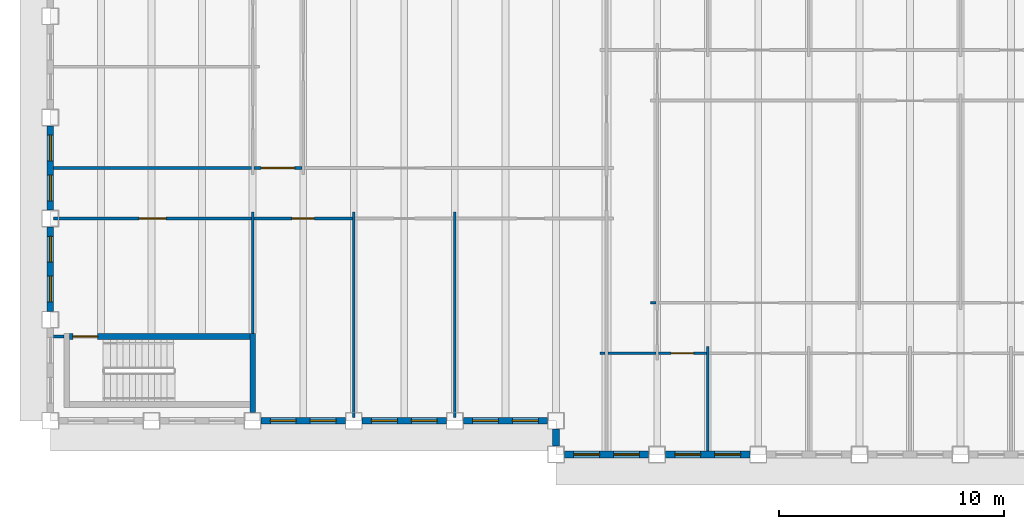
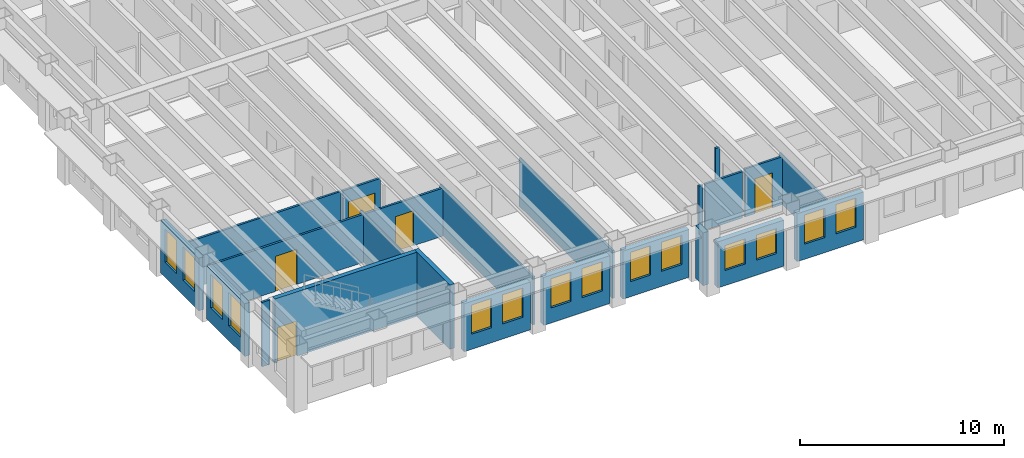
# One storey, part 3 of 17: 23 walls, 14 windows, 5 doors, 19 openings.
"""IFC4 building model written with IfcOpenShell, lengths in metres."""

import ifcopenshell
import ifcopenshell.guid

model = None  # the IFC model being written
_history = None  # IfcOwnerHistory: only IFC2X3 demands one
_inside = {}  # id of a spatial element -> (the spatial element, [elements in it])
_under = {}  # id of a project, library or spatial element -> (it, [spatial elements below it])
_declared = {}  # id of a project -> (the project, [libraries it declares])
_typed = {}  # id of a type object -> (the type object, [elements of that type])
_made_of = {}  # id of a material, layer set ... -> (it, [elements and type objects made of it])


def new_model(schema):
    """Start an empty IFC model of exactly this schema.

    Asked for "IFC4X3", IfcOpenShell would pick the latest addendum, in which some entities
    have other attributes; the version numbers below select the first issue.
    IFC2X3 requires an IfcOwnerHistory on every rooted entity: one is made here for all.
    """
    global model, _history
    if schema == "IFC4X3":
        model = ifcopenshell.file(schema_version=(4, 3, 0, 0))
    else:
        model = ifcopenshell.file(schema=schema)
    _inside.clear()
    _under.clear()
    _declared.clear()
    _typed.clear()
    _made_of.clear()
    _history = None
    if model.schema == "IFC2X3":
        org = make("IfcOrganization", Name="unknown")
        user = make(
            "IfcPersonAndOrganization",
            ThePerson=make("IfcPerson", FamilyName="unknown"),
            TheOrganization=org,
        )
        app = make(
            "IfcApplication",
            ApplicationDeveloper=org,
            Version="unknown",
            ApplicationFullName="unknown",
            ApplicationIdentifier="unknown",
        )
        _history = make(
            "IfcOwnerHistory",
            OwningUser=user,
            OwningApplication=app,
            ChangeAction="ADDED",
            CreationDate=0,
        )
    return model


def make(cls, **values):
    """One entity of the class cls with the attributes given. An attribute that is None is left unset."""
    return model.create_entity(
        cls, **{name: value for name, value in values.items() if value is not None}
    )


def rooted(cls, **values):
    """An entity with a GlobalId (a new one), such as an element, a storey or a relation."""
    return make(cls, GlobalId=ifcopenshell.guid.new(), OwnerHistory=_history, **values)


def si_unit(unit_type, name, prefix=None):
    """IfcSIUnit, for example si_unit("LENGTHUNIT", "METRE", prefix="MILLI")."""
    return make("IfcSIUnit", UnitType=unit_type, Prefix=prefix, Name=name)


def assignment(units):
    """IfcUnitAssignment: the units of a project."""
    return None if units is None else make("IfcUnitAssignment", Units=units)


def point(xyz):
    """IfcCartesianPoint."""
    return None if xyz is None else make("IfcCartesianPoint", Coordinates=xyz)


def direction(xyz):
    """IfcDirection."""
    return None if xyz is None else make("IfcDirection", DirectionRatios=xyz)


def frame(location, z_axis=None, x_axis=None):
    """IfcAxis2Placement3D, a coordinate frame: its origin and axes. An axis left out is left unset."""
    return make(
        "IfcAxis2Placement3D",
        Location=point(location),
        Axis=direction(z_axis),
        RefDirection=direction(x_axis),
    )


def frame_2d(location, x_axis=None):
    """IfcAxis2Placement2D, a coordinate frame in the plane: its origin and x axis."""
    return make(
        "IfcAxis2Placement2D", Location=point(location), RefDirection=direction(x_axis)
    )


def origin():
    """The frame at (0, 0, 0) with its axes left unset."""
    return frame((0.0, 0.0, 0.0))


def place(relative_to, where):
    """IfcLocalPlacement: puts the frame where relative to a parent placement (None: the world)."""
    return make(
        "IfcLocalPlacement", PlacementRelTo=relative_to, RelativePlacement=where
    )


def context(
    kind, dimensions, precision=None, world=None, true_north=None, identifier=None
):
    """IfcGeometricRepresentationContext, for example the 3D "Model" context."""
    return make(
        "IfcGeometricRepresentationContext",
        ContextIdentifier=identifier,
        ContextType=kind,
        CoordinateSpaceDimension=dimensions,
        Precision=precision,
        WorldCoordinateSystem=world,
        TrueNorth=true_north,
    )


def subcontext(parent, identifier, kind, view, scale=None):
    """IfcGeometricRepresentationSubContext, for example "Body" below "Model"."""
    return make(
        "IfcGeometricRepresentationSubContext",
        ContextIdentifier=identifier,
        ContextType=kind,
        ParentContext=parent,
        TargetScale=scale,
        TargetView=view,
    )


def project(units=None, contexts=None):
    """IfcProject with its units and contexts."""
    return rooted(
        "IfcProject",
        Name="project",
        RepresentationContexts=contexts,
        UnitsInContext=assignment(units),
    )


def spatial(cls, under=None, at=None, **own):
    """A site, building, storey or space (cls), placed at a placement, below another one or the project."""
    s = rooted(cls, ObjectPlacement=at, **own)
    if under is not None:
        _under.setdefault(under.id(), (under, []))[1].append(s)
    return s


def profile(cls, at=None, kind="AREA", **sizes):
    """A parametric profile (cls). Its sizes go by their IFC names, for example OverallWidth=200.0."""
    return make(cls, ProfileType=kind, Position=at, **sizes)


def rectangle(**sizes):
    """IfcRectangleProfileDef."""
    return profile("IfcRectangleProfileDef", **sizes)


def extrude(swept, where, along, depth):
    """IfcExtrudedAreaSolid: the profile swept, set in the frame where, extruded along a direction by depth."""
    return make(
        "IfcExtrudedAreaSolid",
        SweptArea=swept,
        Position=where,
        ExtrudedDirection=direction(along),
        Depth=depth,
    )


def shape(context_of_items, identifier, shape_type, items):
    """IfcShapeRepresentation: the items that make up one representation, for example the "Body"."""
    return make(
        "IfcShapeRepresentation",
        ContextOfItems=context_of_items,
        RepresentationIdentifier=identifier,
        RepresentationType=shape_type,
        Items=items,
    )


def material(Name=None, Category=None):
    """IfcMaterial."""
    return make("IfcMaterial", Name=Name, Category=Category)


def layer(
    of_material, thickness, ventilated=None, Name=None, Category=None, Priority=None
):
    """IfcMaterialLayer: one layer of a wall or slab, of a material (None: an air gap)."""
    return make(
        "IfcMaterialLayer",
        Material=of_material,
        LayerThickness=thickness,
        IsVentilated=ventilated,
        Name=Name,
        Category=Category,
        Priority=Priority,
    )


def layer_set(layers, Name=None):
    """IfcMaterialLayerSet."""
    return make("IfcMaterialLayerSet", MaterialLayers=layers, LayerSetName=Name)


def made_of(thing, what):
    """Note that an element or type object is made of a material, layer set ...; save() writes the relation."""
    if what is not None:
        _made_of.setdefault(what.id(), (what, []))[1].append(thing)
    return thing


def type_object(cls, material=None, **own):
    """A type object (cls), such as IfcWallType, which elements share."""
    return made_of(rooted(cls, **own), material)


def element(
    cls,
    number,
    at=None,
    inside=None,
    cuts=None,
    type_object=None,
    material=None,
    context=None,
    identifier="Body",
    shape_type=None,
    held_by="IfcProductDefinitionShape",
    body=None,
    shapes=None,
    **own,
):
    """One element of the class cls, such as IfcWall. Its Tag is "e" and its number.

    at: its placement. inside: the storey or other place that contains it. cuts: it is an
    opening in that element (IfcRelVoidsElement). A single representation is given by context,
    identifier, shape_type and body (its items); several are given by shapes. held_by: the class
    of the entity that holds the representations. save() writes the other relations.
    """
    e = rooted(cls, Tag="e%d" % number, ObjectPlacement=at, **own)
    if body is not None:
        shapes = [shape(context, identifier, shape_type, body)]
    if shapes is not None:
        e.Representation = make(held_by, Representations=shapes)
    if inside is not None:
        _inside.setdefault(inside.id(), (inside, []))[1].append(e)
    if cuts is not None:
        rooted(
            "IfcRelVoidsElement", RelatingBuildingElement=cuts, RelatedOpeningElement=e
        )
    if type_object is not None:
        _typed.setdefault(type_object.id(), (type_object, []))[1].append(e)
    return made_of(e, material)


def fill(opening, filler):
    """IfcRelFillsElement: the door or window that sits in an opening."""
    return rooted(
        "IfcRelFillsElement",
        RelatingOpeningElement=opening,
        RelatedBuildingElement=filler,
    )


def aggregate(whole, parts):
    """IfcRelAggregates: a whole, such as a stair, and the parts it consists of."""
    return rooted("IfcRelAggregates", RelatingObject=whole, RelatedObjects=parts)


def save(model, path):
    """Write the relations noted so far, then the file.

    IfcRelAggregates (storeys below a building ...), IfcRelContainedInSpatialStructure (elements
    in a storey), IfcRelDefinesByType, IfcRelAssociatesMaterial and IfcRelDeclares: one each for
    every whole, place, type object, material and project.
    """
    for whole, parts in _under.values():
        aggregate(whole, parts)
    for where, things in _inside.values():
        rooted(
            "IfcRelContainedInSpatialStructure",
            RelatedElements=things,
            RelatingStructure=where,
        )
    for kind, things in _typed.values():
        rooted("IfcRelDefinesByType", RelatedObjects=things, RelatingType=kind)
    for what, things in _made_of.values():
        rooted("IfcRelAssociatesMaterial", RelatedObjects=things, RelatingMaterial=what)
    for by, libraries in _declared.values():
        rooted("IfcRelDeclares", RelatingContext=by, RelatedDefinitions=libraries)
    model.write(path)


model = new_model("IFC4")

# Units and contexts
model_context = context("Model", 3, precision=1e-05, world=origin(), true_north=direction((0.0, 1.0)))
body_context = subcontext(model_context, "Body", "Model", "MODEL_VIEW")
ifc_project = project(units=[si_unit("LENGTHUNIT", "METRE"), si_unit("AREAUNIT", "SQUARE_METRE"), si_unit("VOLUMEUNIT", "CUBIC_METRE"), si_unit("PLANEANGLEUNIT", "RADIAN"), si_unit("MASSUNIT", "GRAM", prefix="KILO")], contexts=[model_context])

# Site, building, storey
site_placement = place(None, origin())
site = spatial("IfcSite", under=ifc_project, at=site_placement, CompositionType="ELEMENT")
building_placement = place(site_placement, origin())
building = spatial("IfcBuilding", under=site, at=building_placement, Name="Sennacour Bend Tower", CompositionType="ELEMENT")
storey_placement = place(building_placement, frame((0.0, 0.0, 203.0)))
storey = spatial("IfcBuildingStorey", under=building, at=storey_placement, Name="L46", CompositionType="ELEMENT", Elevation=203.0)

# Walls
ifc_material_1 = material(Name="Plasterboard partition on steel studs", Category="steel")
ifc_layer_1 = layer(ifc_material_1, 0.1201171875, Name="Plasterboard partition on steel studs", Category="steel")
ifc_layer_set_1 = layer_set([ifc_layer_1], Name="Plasterboard partition on steel studs")
wall_type_1 = type_object("IfcWallType", Name="Partition 120", PredefinedType="PARTITIONING", material=ifc_layer_set_1)
wall_1_placement = place(storey_placement, frame((9.0, 3.875, 0.0), z_axis=(0.0, 0.0, 1.0), x_axis=(0.0, 1.0, 0.0)))
element("IfcWall", 1, at=wall_1_placement, inside=storey, type_object=wall_type_1, Name="P-L46-W012a", PredefinedType="PARTITIONING", context=body_context, shape_type="SweptSolid", body=[
    extrude(rectangle(XDim=5.425048828125, YDim=0.1201171875, at=frame_2d((2.71240234375, 0.0))), origin(), (0.0, 0.0, 1.0), 2.8701171875),
])
for number, where, z_axis, x_axis, name in (
    (2, (13.5, 0.14990234375, 0.0), (0.0, 0.0, 1.0), (0.0, 1.0, 0.0), "P-L46-W019a"),
    (3, (18.0, 0.14990234375, 0.0), (0.0, 0.0, 1.0), (0.0, 1.0, 0.0), "P-L46-W022a"),
):
    element("IfcWall", number, at=place(storey_placement, frame(where, z_axis=z_axis, x_axis=x_axis)), inside=storey, type_object=wall_type_1, Name=name, PredefinedType="PARTITIONING", context=body_context, shape_type="SweptSolid", body=[
        extrude(rectangle(XDim=9.150146484375, YDim=0.1201171875, at=frame_2d((4.5751953125, 0.0))), origin(), (0.0, 0.0, 1.0), 2.8701171875),
    ])
wall_2_placement = place(storey_placement, frame((29.25, -1.35009765625, 0.0), z_axis=(0.0, 0.0, 1.0), x_axis=(0.0, 1.0, 0.0)))
element("IfcWall", 4, at=wall_2_placement, inside=storey, type_object=wall_type_1, Name="P-L46-W029a", PredefinedType="PARTITIONING", context=body_context, shape_type="SweptSolid", body=[
    extrude(rectangle(XDim=4.650146484375, YDim=0.1201171875, at=frame_2d((2.3251953125, 0.0))), origin(), (0.0, 0.0, 1.0), 2.8701171875),
])
wall_3_placement = place(storey_placement, frame((24.449951171875, 3.0, 0.0), z_axis=(0.0, 0.0, 1.0), x_axis=(1.0, 0.0, 0.0)))
element("IfcWall", 5, at=wall_3_placement, inside=storey, type_object=wall_type_1, Name="P-L46-W058aa", PredefinedType="PARTITIONING", context=body_context, shape_type="SweptSolid", body=[
    extrude(rectangle(XDim=0.239990234375, YDim=0.1201171875, at=frame_2d((0.1201171875, 0.0))), origin(), (0.0, 0.0, 1.0), 2.760009765625),
])
wall_4_placement = place(storey_placement, frame((24.81005859375, 3.0, 0.0), z_axis=(0.0, 0.0, 1.0), x_axis=(1.0, 0.0, 0.0)))
element("IfcWall", 6, at=wall_4_placement, inside=storey, type_object=wall_type_1, Name="P-L46-W058ab", PredefinedType="PARTITIONING", context=body_context, shape_type="SweptSolid", body=[
    extrude(rectangle(XDim=2.1298828125, YDim=0.1201171875, at=frame_2d((1.06494140625, 0.0))), origin(), (0.0, 0.0, 1.0), 2.760009765625),
])

# Wall, opening, door
wall_5_placement = place(storey_placement, frame((27.06005859375, 3.0, 0.0), z_axis=(0.0, 0.0, 1.0), x_axis=(1.0, 0.0, 0.0)))
wall_5 = element("IfcWall", 7, at=wall_5_placement, inside=storey, type_object=wall_type_1, Name="P-L46-W058ac", PredefinedType="PARTITIONING", context=body_context, shape_type="SweptSolid", body=[
    extrude(rectangle(XDim=2.1298828125, YDim=0.1201171875, at=frame_2d((1.06494140625, 0.0))), origin(), (0.0, 0.0, 1.0), 2.8701171875),
])
opening_1_placement = place(wall_5_placement, frame((0.56494140625, 0.0, 0.0)))
opening_1 = element("IfcOpeningElement", 8, at=opening_1_placement, cuts=wall_5, Name="Opening OD2", PredefinedType="OPENING", context=body_context, shape_type="SweptSolid", body=[
    extrude(rectangle(XDim=1.0, YDim=2.10009765625, at=frame_2d((0.5, 1.050048828125))), frame((0.0, 0.070068359375, 0.0), z_axis=(0.0, -1.0, 0.0), x_axis=(1.0, 0.0, 0.0)), (0.0, 0.0, 1.0), 0.14013671875),
])
ifc_material_2 = material(Name="Timber", Category="wood")
door_type_1 = type_object("IfcDoorType", Name="DR-OFFICE-1000", OperationType="NOTDEFINED", PredefinedType="DOOR", material=ifc_material_2)
door_1_placement = place(opening_1_placement, origin())
door_1 = element("IfcDoor", 9, at=door_1_placement, inside=storey, type_object=door_type_1, Name="Door", OperationType="SINGLE_SWING_LEFT", OverallHeight=2.10009765625, OverallWidth=1.0, PredefinedType="DOOR", context=body_context, shape_type="SweptSolid", body=[
    extrude(rectangle(XDim=1.0, YDim=2.10009765625, at=frame_2d((0.5, 1.050048828125))), frame((0.0, 0.02490234375, 0.0), z_axis=(0.0, -1.0, 0.0), x_axis=(1.0, 0.0, 0.0)), (0.0, 0.0, 1.0), 0.050048828125),
])
fill(opening_1, door_1)

# Walls
wall_6_placement = place(storey_placement, frame((0.14990234375, 3.75, 0.0), z_axis=(0.0, 0.0, 1.0), x_axis=(1.0, 0.0, 0.0)))
element("IfcWall", 10, at=wall_6_placement, inside=storey, type_object=wall_type_1, Name="P-L46-W059a", PredefinedType="PARTITIONING", context=body_context, shape_type="SweptSolid", body=[
    extrude(rectangle(XDim=0.4501953125, YDim=0.1201171875, at=frame_2d((0.22509765625, 0.0))), origin(), (0.0, 0.0, 1.0), 3.85009765625),
])
wall_7_placement = place(storey_placement, frame((26.699951171875, 5.25, 0.0), z_axis=(0.0, 0.0, 1.0), x_axis=(1.0, 0.0, 0.0)))
element("IfcWall", 11, at=wall_7_placement, inside=storey, type_object=wall_type_1, Name="P-L46-W063aa", PredefinedType="PARTITIONING", context=body_context, shape_type="SweptSolid", body=[
    extrude(rectangle(XDim=0.239990234375, YDim=0.1201171875, at=frame_2d((0.1201171875, 0.0))), origin(), (0.0, 0.0, 1.0), 2.8701171875),
])

# Wall, opening, door
wall_8_placement = place(storey_placement, frame((9.06005859375, 9.0, 0.0), z_axis=(0.0, 0.0, 1.0), x_axis=(1.0, 0.0, 0.0)))
wall_8 = element("IfcWall", 12, at=wall_8_placement, inside=storey, type_object=wall_type_1, Name="P-L46-W066ab", PredefinedType="PARTITIONING", context=body_context, shape_type="SweptSolid", body=[
    extrude(rectangle(XDim=4.3798828125, YDim=0.1201171875, at=frame_2d((2.18994140625, 0.0))), origin(), (0.0, 0.0, 1.0), 2.8701171875),
])
opening_2_placement = place(wall_8_placement, frame((1.68994140625, 0.0, 0.0)))
opening_2 = element("IfcOpeningElement", 13, at=opening_2_placement, cuts=wall_8, Name="Opening OD2", PredefinedType="OPENING", context=body_context, shape_type="SweptSolid", body=[
    extrude(rectangle(XDim=1.0, YDim=2.10009765625, at=frame_2d((0.5, 1.050048828125))), frame((0.0, 0.070068359375, 0.0), z_axis=(0.0, -1.0, 0.0), x_axis=(1.0, 0.0, 0.0)), (0.0, 0.0, 1.0), 0.14013671875),
])
door_2_placement = place(opening_2_placement, origin())
door_2 = element("IfcDoor", 14, at=door_2_placement, inside=storey, type_object=door_type_1, Name="Door", OperationType="SINGLE_SWING_LEFT", OverallHeight=2.10009765625, OverallWidth=1.0, PredefinedType="DOOR", context=body_context, shape_type="SweptSolid", body=[
    extrude(rectangle(XDim=1.0, YDim=2.10009765625, at=frame_2d((0.5, 1.050048828125))), frame((0.0, 0.02490234375, 0.0), z_axis=(0.0, -1.0, 0.0), x_axis=(1.0, 0.0, 0.0)), (0.0, 0.0, 1.0), 0.050048828125),
])
fill(opening_2, door_2)

# Wall
wall_9_placement = place(storey_placement, frame((0.14990234375, 11.25, 0.0), z_axis=(0.0, 0.0, 1.0), x_axis=(1.0, 0.0, 0.0)))
element("IfcWall", 15, at=wall_9_placement, inside=storey, type_object=wall_type_1, Name="P-L46-W069aa", PredefinedType="PARTITIONING", context=body_context, shape_type="SweptSolid", body=[
    extrude(rectangle(XDim=8.7900390625, YDim=0.1201171875, at=frame_2d((4.39501953125, 0.0))), origin(), (0.0, 0.0, 1.0), 2.8701171875),
])

# Wall, opening, door
ifc_layer_2 = layer(ifc_material_1, 0.1201171875, Name="Plasterboard partition on steel studs", Category="steel")
ifc_layer_set_2 = layer_set([ifc_layer_2], Name="Plasterboard partition on steel studs")
wall_type_2 = type_object("IfcWallType", Name="Partition 120 EI 30", PredefinedType="PARTITIONING", material=ifc_layer_set_2)
wall_10_placement = place(storey_placement, frame((0.14990234375, 9.0, 0.0), z_axis=(0.0, 0.0, 1.0), x_axis=(1.0, 0.0, 0.0)))
wall_10 = element("IfcWall", 16, at=wall_10_placement, inside=storey, type_object=wall_type_2, Name="P-L46-W066aa", PredefinedType="PARTITIONING", context=body_context, shape_type="SweptSolid", body=[
    extrude(rectangle(XDim=8.7900390625, YDim=0.1201171875, at=frame_2d((4.39501953125, 0.0))), origin(), (0.0, 0.0, 1.0), 2.8701171875),
])
opening_3_placement = place(wall_10_placement, frame((3.80517578125, 0.0, 0.0)))
opening_3 = element("IfcOpeningElement", 17, at=opening_3_placement, cuts=wall_10, Name="Opening KD2", PredefinedType="OPENING", context=body_context, shape_type="SweptSolid", body=[
    extrude(rectangle(XDim=1.199951171875, YDim=2.10009765625, at=frame_2d((0.60009765625, 1.050048828125))), frame((0.0, 0.070068359375, 0.0), z_axis=(0.0, -1.0, 0.0), x_axis=(1.0, 0.0, 0.0)), (0.0, 0.0, 1.0), 0.14013671875),
])
ifc_material_3 = material(Name="Painted steel", Category="steel")
door_type_2 = type_object("IfcDoorType", Name="DR-CORRIDOR-1200", OperationType="NOTDEFINED", PredefinedType="DOOR", material=ifc_material_3)
door_3_placement = place(opening_3_placement, origin())
door_3 = element("IfcDoor", 18, at=door_3_placement, inside=storey, type_object=door_type_2, Name="Door", OperationType="SINGLE_SWING_LEFT", OverallHeight=2.10009765625, OverallWidth=1.199951171875, PredefinedType="DOOR", context=body_context, shape_type="SweptSolid", body=[
    extrude(rectangle(XDim=1.199951171875, YDim=2.10009765625, at=frame_2d((0.60009765625, 1.050048828125))), frame((0.0, 0.02490234375, 0.0), z_axis=(0.0, -1.0, 0.0), x_axis=(1.0, 0.0, 0.0)), (0.0, 0.0, 1.0), 0.050048828125),
])
fill(opening_3, door_3)

wall_11_placement = place(storey_placement, frame((9.06005859375, 11.25, 0.0), z_axis=(0.0, 0.0, 1.0), x_axis=(1.0, 0.0, 0.0)))
wall_11 = element("IfcWall", 19, at=wall_11_placement, inside=storey, type_object=wall_type_2, Name="P-L46-W069ab", PredefinedType="PARTITIONING", context=body_context, shape_type="SweptSolid", body=[
    extrude(rectangle(XDim=2.1298828125, YDim=0.1201171875, at=frame_2d((1.06494140625, 0.0))), origin(), (0.0, 0.0, 1.0), 2.8701171875),
])
opening_4_placement = place(wall_11_placement, frame((0.31494140625, 0.0, 0.0)))
opening_4 = element("IfcOpeningElement", 20, at=opening_4_placement, cuts=wall_11, Name="Opening KD", PredefinedType="OPENING", context=body_context, shape_type="SweptSolid", body=[
    extrude(rectangle(XDim=1.5, YDim=2.10009765625, at=frame_2d((0.75, 1.050048828125))), frame((0.0, 0.070068359375, 0.0), z_axis=(0.0, -1.0, 0.0), x_axis=(1.0, 0.0, 0.0)), (0.0, 0.0, 1.0), 0.14013671875),
])
door_type_3 = type_object("IfcDoorType", Name="DR-CORRIDOR-1500", OperationType="NOTDEFINED", PredefinedType="DOOR", material=ifc_material_3)
door_4_placement = place(opening_4_placement, origin())
door_4 = element("IfcDoor", 21, at=door_4_placement, inside=storey, type_object=door_type_3, Name="Door", OperationType="SINGLE_SWING_LEFT", OverallHeight=2.10009765625, OverallWidth=1.5, PredefinedType="DOOR", context=body_context, shape_type="SweptSolid", body=[
    extrude(rectangle(XDim=1.5, YDim=2.10009765625, at=frame_2d((0.75, 1.050048828125))), frame((0.0, 0.02490234375, 0.0), z_axis=(0.0, -1.0, 0.0), x_axis=(1.0, 0.0, 0.0)), (0.0, 0.0, 1.0), 0.050048828125),
])
fill(opening_4, door_4)

# Wall, openings, windows
ifc_material_4 = material(Name="Warm limestone cladding", Category="masonry")
ifc_layer_3 = layer(ifc_material_4, 0.050048828125, Name="Warm limestone cladding", Category="masonry")
ifc_material_5 = material(Name="Precast concrete C40/50", Category="concrete")
ifc_layer_4 = layer(ifc_material_5, 0.25, Name="Precast concrete C40/50", Category="concrete")
ifc_layer_set_3 = layer_set([ifc_layer_3, ifc_layer_4], Name="Precast concrete C40/50 with limestone cladding")
wall_type_3 = type_object("IfcWallType", Name="STONE-CLAD PRECAST SPANDREL 300", PredefinedType="STANDARD", material=ifc_layer_set_3)
wall_12_placement = place(storey_placement, frame((22.875, -1.5, 0.0), z_axis=(0.0, 0.0, 1.0), x_axis=(1.0, 0.0, 0.0)))
wall_12 = element("IfcWall", 22, at=wall_12_placement, inside=storey, type_object=wall_type_3, Name="Stone spandrel and pier wall L46 00.00", PredefinedType="STANDARD", context=body_context, shape_type="SweptSolid", body=[
    extrude(rectangle(XDim=3.75, YDim=0.300048828125, at=frame_2d((1.875, 0.0))), origin(), (0.0, 0.0, 1.0), 2.760009765625),
])
opening_5_placement = place(wall_12_placement, frame((0.41259765625, 0.0, 0.89990234375)))
opening_5 = element("IfcOpeningElement", 23, at=opening_5_placement, cuts=wall_12, Name="Opening W22", PredefinedType="OPENING", context=body_context, shape_type="SweptSolid", body=[
    extrude(rectangle(XDim=1.14990234375, YDim=1.5, at=frame_2d((0.574951171875, 0.75))), frame((0.0, 0.16015625, 0.0), z_axis=(0.0, -1.0, 0.0), x_axis=(1.0, 0.0, 0.0)), (0.0, 0.0, 1.0), 0.320068359375),
])
opening_6_placement = place(wall_12_placement, frame((2.1875, 0.0, 0.89990234375)))
opening_6 = element("IfcOpeningElement", 24, at=opening_6_placement, cuts=wall_12, Name="Opening W22", PredefinedType="OPENING", context=body_context, shape_type="SweptSolid", body=[
    extrude(rectangle(XDim=1.14990234375, YDim=1.5, at=frame_2d((0.574951171875, 0.75))), frame((0.0, 0.16015625, 0.0), z_axis=(0.0, -1.0, 0.0), x_axis=(1.0, 0.0, 0.0)), (0.0, 0.0, 1.0), 0.320068359375),
])
ifc_material_6 = material(Name="Clear low-emissivity glass", Category="glass")
window_type_1 = type_object("IfcWindowType", Name="WIN-RIBBON-1150x1500", PartitioningType="SINGLE_PANEL", PredefinedType="WINDOW", material=ifc_material_6)
window_1_placement = place(opening_5_placement, origin())
window_1 = element("IfcWindow", 25, at=window_1_placement, inside=storey, type_object=window_type_1, Name="Ribbon window L46 00.00.0", OverallHeight=1.5, OverallWidth=1.14990234375, PartitioningType="SINGLE_PANEL", PredefinedType="WINDOW", context=body_context, shape_type="SweptSolid", body=[
    extrude(rectangle(XDim=1.14990234375, YDim=1.5, at=frame_2d((0.574951171875, 0.75))), frame((0.0, 0.030029296875, 0.0), z_axis=(0.0, -1.0, 0.0), x_axis=(1.0, 0.0, 0.0)), (0.0, 0.0, 1.0), 0.06005859375),
])
fill(opening_5, window_1)
window_2_placement = place(opening_6_placement, origin())
window_2 = element("IfcWindow", 26, at=window_2_placement, inside=storey, type_object=window_type_1, Name="Ribbon window L46 00.00.1", OverallHeight=1.5, OverallWidth=1.14990234375, PartitioningType="SINGLE_PANEL", PredefinedType="WINDOW", context=body_context, shape_type="SweptSolid", body=[
    extrude(rectangle(XDim=1.14990234375, YDim=1.5, at=frame_2d((0.574951171875, 0.75))), frame((0.0, 0.030029296875, 0.0), z_axis=(0.0, -1.0, 0.0), x_axis=(1.0, 0.0, 0.0)), (0.0, 0.0, 1.0), 0.06005859375),
])
fill(opening_6, window_2)

wall_13_placement = place(storey_placement, frame((27.375, -1.5, 0.0), z_axis=(0.0, 0.0, 1.0), x_axis=(1.0, 0.0, 0.0)))
wall_13 = element("IfcWall", 27, at=wall_13_placement, inside=storey, type_object=wall_type_3, Name="Stone spandrel and pier wall L46 00.01", PredefinedType="STANDARD", context=body_context, shape_type="SweptSolid", body=[
    extrude(rectangle(XDim=3.75, YDim=0.300048828125, at=frame_2d((1.875, 0.0))), origin(), (0.0, 0.0, 1.0), 2.8701171875),
])
opening_7_placement = place(wall_13_placement, frame((0.41259765625, 0.0, 0.89990234375)))
opening_7 = element("IfcOpeningElement", 28, at=opening_7_placement, cuts=wall_13, Name="Opening W23", PredefinedType="OPENING", context=body_context, shape_type="SweptSolid", body=[
    extrude(rectangle(XDim=1.14990234375, YDim=1.75, at=frame_2d((0.574951171875, 0.875))), frame((0.0, 0.16015625, 0.0), z_axis=(0.0, -1.0, 0.0), x_axis=(1.0, 0.0, 0.0)), (0.0, 0.0, 1.0), 0.320068359375),
])
opening_8_placement = place(wall_13_placement, frame((2.1875, 0.0, 0.89990234375)))
opening_8 = element("IfcOpeningElement", 29, at=opening_8_placement, cuts=wall_13, Name="Opening W23", PredefinedType="OPENING", context=body_context, shape_type="SweptSolid", body=[
    extrude(rectangle(XDim=1.14990234375, YDim=1.75, at=frame_2d((0.574951171875, 0.875))), frame((0.0, 0.16015625, 0.0), z_axis=(0.0, -1.0, 0.0), x_axis=(1.0, 0.0, 0.0)), (0.0, 0.0, 1.0), 0.320068359375),
])
window_type_2 = type_object("IfcWindowType", Name="WIN-RIBBON-1150x1750", PartitioningType="SINGLE_PANEL", PredefinedType="WINDOW", material=ifc_material_6)
window_3_placement = place(opening_7_placement, origin())
window_3 = element("IfcWindow", 30, at=window_3_placement, inside=storey, type_object=window_type_2, Name="Ribbon window L46 00.01.0", OverallHeight=1.75, OverallWidth=1.14990234375, PartitioningType="SINGLE_PANEL", PredefinedType="WINDOW", context=body_context, shape_type="SweptSolid", body=[
    extrude(rectangle(XDim=1.14990234375, YDim=1.75, at=frame_2d((0.574951171875, 0.875))), frame((0.0, 0.030029296875, 0.0), z_axis=(0.0, -1.0, 0.0), x_axis=(1.0, 0.0, 0.0)), (0.0, 0.0, 1.0), 0.06005859375),
])
fill(opening_7, window_3)
window_4_placement = place(opening_8_placement, origin())
window_4 = element("IfcWindow", 31, at=window_4_placement, inside=storey, type_object=window_type_2, Name="Ribbon window L46 00.01.1", OverallHeight=1.75, OverallWidth=1.14990234375, PartitioningType="SINGLE_PANEL", PredefinedType="WINDOW", context=body_context, shape_type="SweptSolid", body=[
    extrude(rectangle(XDim=1.14990234375, YDim=1.75, at=frame_2d((0.574951171875, 0.875))), frame((0.0, 0.030029296875, 0.0), z_axis=(0.0, -1.0, 0.0), x_axis=(1.0, 0.0, 0.0)), (0.0, 0.0, 1.0), 0.06005859375),
])
fill(opening_8, window_4)

wall_14_placement = place(storey_placement, frame((0.0, 13.125, 0.0), z_axis=(0.0, 0.0, 1.0), x_axis=(0.0, -1.0, 0.0)))
wall_14 = element("IfcWall", 32, at=wall_14_placement, inside=storey, type_object=wall_type_3, Name="Stone spandrel and pier wall L46 21.02", PredefinedType="STANDARD", context=body_context, shape_type="SweptSolid", body=[
    extrude(rectangle(XDim=3.75, YDim=0.300048828125, at=frame_2d((1.875, 0.0))), origin(), (0.0, 0.0, 1.0), 3.156982421875),
])
opening_9_placement = place(wall_14_placement, frame((0.41259765625, 0.0, 0.89990234375)))
opening_9 = element("IfcOpeningElement", 33, at=opening_9_placement, cuts=wall_14, Name="Opening W24", PredefinedType="OPENING", context=body_context, shape_type="SweptSolid", body=[
    extrude(rectangle(XDim=1.14990234375, YDim=2.0, at=frame_2d((0.574951171875, 1.0))), frame((0.0, 0.16015625, 0.0), z_axis=(0.0, -1.0, 0.0), x_axis=(1.0, 0.0, 0.0)), (0.0, 0.0, 1.0), 0.320068359375),
])
opening_10_placement = place(wall_14_placement, frame((2.1875, 0.0, 0.89990234375)))
opening_10 = element("IfcOpeningElement", 34, at=opening_10_placement, cuts=wall_14, Name="Opening W24", PredefinedType="OPENING", context=body_context, shape_type="SweptSolid", body=[
    extrude(rectangle(XDim=1.14990234375, YDim=2.0, at=frame_2d((0.574951171875, 1.0))), frame((0.0, 0.16015625, 0.0), z_axis=(0.0, -1.0, 0.0), x_axis=(1.0, 0.0, 0.0)), (0.0, 0.0, 1.0), 0.320068359375),
])
window_type_3 = type_object("IfcWindowType", Name="WIN-RIBBON-1150x2000", PartitioningType="SINGLE_PANEL", PredefinedType="WINDOW", material=ifc_material_6)
window_5_placement = place(opening_9_placement, origin())
window_5 = element("IfcWindow", 35, at=window_5_placement, inside=storey, type_object=window_type_3, Name="Ribbon window L46 21.02.0", OverallHeight=2.0, OverallWidth=1.14990234375, PartitioningType="SINGLE_PANEL", PredefinedType="WINDOW", context=body_context, shape_type="SweptSolid", body=[
    extrude(rectangle(XDim=1.14990234375, YDim=2.0, at=frame_2d((0.574951171875, 1.0))), frame((0.0, 0.030029296875, 0.0), z_axis=(0.0, -1.0, 0.0), x_axis=(1.0, 0.0, 0.0)), (0.0, 0.0, 1.0), 0.06005859375),
])
fill(opening_9, window_5)
window_6_placement = place(opening_10_placement, origin())
window_6 = element("IfcWindow", 36, at=window_6_placement, inside=storey, type_object=window_type_3, Name="Ribbon window L46 21.02.1", OverallHeight=2.0, OverallWidth=1.14990234375, PartitioningType="SINGLE_PANEL", PredefinedType="WINDOW", context=body_context, shape_type="SweptSolid", body=[
    extrude(rectangle(XDim=1.14990234375, YDim=2.0, at=frame_2d((0.574951171875, 1.0))), frame((0.0, 0.030029296875, 0.0), z_axis=(0.0, -1.0, 0.0), x_axis=(1.0, 0.0, 0.0)), (0.0, 0.0, 1.0), 0.06005859375),
])
fill(opening_10, window_6)

wall_15_placement = place(storey_placement, frame((0.0, 8.625, 0.0), z_axis=(0.0, 0.0, 1.0), x_axis=(0.0, -1.0, 0.0)))
wall_15 = element("IfcWall", 37, at=wall_15_placement, inside=storey, type_object=wall_type_3, Name="Stone spandrel and pier wall L46 21.03", PredefinedType="STANDARD", context=body_context, shape_type="SweptSolid", body=[
    extrude(rectangle(XDim=3.75, YDim=0.300048828125, at=frame_2d((1.875, 0.0))), origin(), (0.0, 0.0, 1.0), 3.156982421875),
])
opening_11_placement = place(wall_15_placement, frame((0.41259765625, 0.0, 0.89990234375)))
opening_11 = element("IfcOpeningElement", 38, at=opening_11_placement, cuts=wall_15, Name="Opening W24", PredefinedType="OPENING", context=body_context, shape_type="SweptSolid", body=[
    extrude(rectangle(XDim=1.14990234375, YDim=2.0, at=frame_2d((0.574951171875, 1.0))), frame((0.0, 0.16015625, 0.0), z_axis=(0.0, -1.0, 0.0), x_axis=(1.0, 0.0, 0.0)), (0.0, 0.0, 1.0), 0.320068359375),
])
opening_12_placement = place(wall_15_placement, frame((2.1875, 0.0, 0.89990234375)))
opening_12 = element("IfcOpeningElement", 39, at=opening_12_placement, cuts=wall_15, Name="Opening W24", PredefinedType="OPENING", context=body_context, shape_type="SweptSolid", body=[
    extrude(rectangle(XDim=1.14990234375, YDim=2.0, at=frame_2d((0.574951171875, 1.0))), frame((0.0, 0.16015625, 0.0), z_axis=(0.0, -1.0, 0.0), x_axis=(1.0, 0.0, 0.0)), (0.0, 0.0, 1.0), 0.320068359375),
])
window_7_placement = place(opening_11_placement, origin())
window_7 = element("IfcWindow", 40, at=window_7_placement, inside=storey, type_object=window_type_3, Name="Ribbon window L46 21.03.0", OverallHeight=2.0, OverallWidth=1.14990234375, PartitioningType="SINGLE_PANEL", PredefinedType="WINDOW", context=body_context, shape_type="SweptSolid", body=[
    extrude(rectangle(XDim=1.14990234375, YDim=2.0, at=frame_2d((0.574951171875, 1.0))), frame((0.0, 0.030029296875, 0.0), z_axis=(0.0, -1.0, 0.0), x_axis=(1.0, 0.0, 0.0)), (0.0, 0.0, 1.0), 0.06005859375),
])
fill(opening_11, window_7)
window_8_placement = place(opening_12_placement, origin())
window_8 = element("IfcWindow", 41, at=window_8_placement, inside=storey, type_object=window_type_3, Name="Ribbon window L46 21.03.1", OverallHeight=2.0, OverallWidth=1.14990234375, PartitioningType="SINGLE_PANEL", PredefinedType="WINDOW", context=body_context, shape_type="SweptSolid", body=[
    extrude(rectangle(XDim=1.14990234375, YDim=2.0, at=frame_2d((0.574951171875, 1.0))), frame((0.0, 0.030029296875, 0.0), z_axis=(0.0, -1.0, 0.0), x_axis=(1.0, 0.0, 0.0)), (0.0, 0.0, 1.0), 0.06005859375),
])
fill(opening_12, window_8)

wall_16_placement = place(storey_placement, frame((9.375, 0.0, 0.0), z_axis=(0.0, 0.0, 1.0), x_axis=(1.0, 0.0, 0.0)))
wall_16 = element("IfcWall", 42, at=wall_16_placement, inside=storey, type_object=wall_type_3, Name="Stone spandrel and pier wall L46 22.02", PredefinedType="STANDARD", context=body_context, shape_type="SweptSolid", body=[
    extrude(rectangle(XDim=3.75, YDim=0.300048828125, at=frame_2d((1.875, 0.0))), origin(), (0.0, 0.0, 1.0), 2.8701171875),
])
opening_13_placement = place(wall_16_placement, frame((0.41259765625, 0.0, 0.89990234375)))
opening_13 = element("IfcOpeningElement", 43, at=opening_13_placement, cuts=wall_16, Name="Opening W23", PredefinedType="OPENING", context=body_context, shape_type="SweptSolid", body=[
    extrude(rectangle(XDim=1.14990234375, YDim=1.75, at=frame_2d((0.574951171875, 0.875))), frame((0.0, 0.16015625, 0.0), z_axis=(0.0, -1.0, 0.0), x_axis=(1.0, 0.0, 0.0)), (0.0, 0.0, 1.0), 0.320068359375),
])
opening_14_placement = place(wall_16_placement, frame((2.1875, 0.0, 0.89990234375)))
opening_14 = element("IfcOpeningElement", 44, at=opening_14_placement, cuts=wall_16, Name="Opening W23", PredefinedType="OPENING", context=body_context, shape_type="SweptSolid", body=[
    extrude(rectangle(XDim=1.14990234375, YDim=1.75, at=frame_2d((0.574951171875, 0.875))), frame((0.0, 0.16015625, 0.0), z_axis=(0.0, -1.0, 0.0), x_axis=(1.0, 0.0, 0.0)), (0.0, 0.0, 1.0), 0.320068359375),
])
window_9_placement = place(opening_13_placement, origin())
window_9 = element("IfcWindow", 45, at=window_9_placement, inside=storey, type_object=window_type_2, Name="Ribbon window L46 22.02.0", OverallHeight=1.75, OverallWidth=1.14990234375, PartitioningType="SINGLE_PANEL", PredefinedType="WINDOW", context=body_context, shape_type="SweptSolid", body=[
    extrude(rectangle(XDim=1.14990234375, YDim=1.75, at=frame_2d((0.574951171875, 0.875))), frame((0.0, 0.030029296875, 0.0), z_axis=(0.0, -1.0, 0.0), x_axis=(1.0, 0.0, 0.0)), (0.0, 0.0, 1.0), 0.06005859375),
])
fill(opening_13, window_9)
window_10_placement = place(opening_14_placement, origin())
window_10 = element("IfcWindow", 46, at=window_10_placement, inside=storey, type_object=window_type_2, Name="Ribbon window L46 22.02.1", OverallHeight=1.75, OverallWidth=1.14990234375, PartitioningType="SINGLE_PANEL", PredefinedType="WINDOW", context=body_context, shape_type="SweptSolid", body=[
    extrude(rectangle(XDim=1.14990234375, YDim=1.75, at=frame_2d((0.574951171875, 0.875))), frame((0.0, 0.030029296875, 0.0), z_axis=(0.0, -1.0, 0.0), x_axis=(1.0, 0.0, 0.0)), (0.0, 0.0, 1.0), 0.06005859375),
])
fill(opening_14, window_10)

wall_17_placement = place(storey_placement, frame((13.875, 0.0, 0.0), z_axis=(0.0, 0.0, 1.0), x_axis=(1.0, 0.0, 0.0)))
wall_17 = element("IfcWall", 47, at=wall_17_placement, inside=storey, type_object=wall_type_3, Name="Stone spandrel and pier wall L46 22.03", PredefinedType="STANDARD", context=body_context, shape_type="SweptSolid", body=[
    extrude(rectangle(XDim=3.75, YDim=0.300048828125, at=frame_2d((1.875, 0.0))), origin(), (0.0, 0.0, 1.0), 2.8701171875),
])
opening_15_placement = place(wall_17_placement, frame((0.41259765625, 0.0, 0.89990234375)))
opening_15 = element("IfcOpeningElement", 48, at=opening_15_placement, cuts=wall_17, Name="Opening W23", PredefinedType="OPENING", context=body_context, shape_type="SweptSolid", body=[
    extrude(rectangle(XDim=1.14990234375, YDim=1.75, at=frame_2d((0.574951171875, 0.875))), frame((0.0, 0.16015625, 0.0), z_axis=(0.0, -1.0, 0.0), x_axis=(1.0, 0.0, 0.0)), (0.0, 0.0, 1.0), 0.320068359375),
])
opening_16_placement = place(wall_17_placement, frame((2.1875, 0.0, 0.89990234375)))
opening_16 = element("IfcOpeningElement", 49, at=opening_16_placement, cuts=wall_17, Name="Opening W23", PredefinedType="OPENING", context=body_context, shape_type="SweptSolid", body=[
    extrude(rectangle(XDim=1.14990234375, YDim=1.75, at=frame_2d((0.574951171875, 0.875))), frame((0.0, 0.16015625, 0.0), z_axis=(0.0, -1.0, 0.0), x_axis=(1.0, 0.0, 0.0)), (0.0, 0.0, 1.0), 0.320068359375),
])
window_11_placement = place(opening_15_placement, origin())
window_11 = element("IfcWindow", 50, at=window_11_placement, inside=storey, type_object=window_type_2, Name="Ribbon window L46 22.03.0", OverallHeight=1.75, OverallWidth=1.14990234375, PartitioningType="SINGLE_PANEL", PredefinedType="WINDOW", context=body_context, shape_type="SweptSolid", body=[
    extrude(rectangle(XDim=1.14990234375, YDim=1.75, at=frame_2d((0.574951171875, 0.875))), frame((0.0, 0.030029296875, 0.0), z_axis=(0.0, -1.0, 0.0), x_axis=(1.0, 0.0, 0.0)), (0.0, 0.0, 1.0), 0.06005859375),
])
fill(opening_15, window_11)
window_12_placement = place(opening_16_placement, origin())
window_12 = element("IfcWindow", 51, at=window_12_placement, inside=storey, type_object=window_type_2, Name="Ribbon window L46 22.03.1", OverallHeight=1.75, OverallWidth=1.14990234375, PartitioningType="SINGLE_PANEL", PredefinedType="WINDOW", context=body_context, shape_type="SweptSolid", body=[
    extrude(rectangle(XDim=1.14990234375, YDim=1.75, at=frame_2d((0.574951171875, 0.875))), frame((0.0, 0.030029296875, 0.0), z_axis=(0.0, -1.0, 0.0), x_axis=(1.0, 0.0, 0.0)), (0.0, 0.0, 1.0), 0.06005859375),
])
fill(opening_16, window_12)

wall_18_placement = place(storey_placement, frame((18.375, 0.0, 0.0), z_axis=(0.0, 0.0, 1.0), x_axis=(1.0, 0.0, 0.0)))
wall_18 = element("IfcWall", 52, at=wall_18_placement, inside=storey, type_object=wall_type_3, Name="Stone spandrel and pier wall L46 22.04", PredefinedType="STANDARD", context=body_context, shape_type="SweptSolid", body=[
    extrude(rectangle(XDim=3.75, YDim=0.300048828125, at=frame_2d((1.875, 0.0))), origin(), (0.0, 0.0, 1.0), 2.8701171875),
])
opening_17_placement = place(wall_18_placement, frame((0.41259765625, 0.0, 0.89990234375)))
opening_17 = element("IfcOpeningElement", 53, at=opening_17_placement, cuts=wall_18, Name="Opening W23", PredefinedType="OPENING", context=body_context, shape_type="SweptSolid", body=[
    extrude(rectangle(XDim=1.14990234375, YDim=1.75, at=frame_2d((0.574951171875, 0.875))), frame((0.0, 0.16015625, 0.0), z_axis=(0.0, -1.0, 0.0), x_axis=(1.0, 0.0, 0.0)), (0.0, 0.0, 1.0), 0.320068359375),
])
opening_18_placement = place(wall_18_placement, frame((2.1875, 0.0, 0.89990234375)))
opening_18 = element("IfcOpeningElement", 54, at=opening_18_placement, cuts=wall_18, Name="Opening W23", PredefinedType="OPENING", context=body_context, shape_type="SweptSolid", body=[
    extrude(rectangle(XDim=1.14990234375, YDim=1.75, at=frame_2d((0.574951171875, 0.875))), frame((0.0, 0.16015625, 0.0), z_axis=(0.0, -1.0, 0.0), x_axis=(1.0, 0.0, 0.0)), (0.0, 0.0, 1.0), 0.320068359375),
])
window_13_placement = place(opening_17_placement, origin())
window_13 = element("IfcWindow", 55, at=window_13_placement, inside=storey, type_object=window_type_2, Name="Ribbon window L46 22.04.0", OverallHeight=1.75, OverallWidth=1.14990234375, PartitioningType="SINGLE_PANEL", PredefinedType="WINDOW", context=body_context, shape_type="SweptSolid", body=[
    extrude(rectangle(XDim=1.14990234375, YDim=1.75, at=frame_2d((0.574951171875, 0.875))), frame((0.0, 0.030029296875, 0.0), z_axis=(0.0, -1.0, 0.0), x_axis=(1.0, 0.0, 0.0)), (0.0, 0.0, 1.0), 0.06005859375),
])
fill(opening_17, window_13)
window_14_placement = place(opening_18_placement, origin())
window_14 = element("IfcWindow", 56, at=window_14_placement, inside=storey, type_object=window_type_2, Name="Ribbon window L46 22.04.1", OverallHeight=1.75, OverallWidth=1.14990234375, PartitioningType="SINGLE_PANEL", PredefinedType="WINDOW", context=body_context, shape_type="SweptSolid", body=[
    extrude(rectangle(XDim=1.14990234375, YDim=1.75, at=frame_2d((0.574951171875, 0.875))), frame((0.0, 0.030029296875, 0.0), z_axis=(0.0, -1.0, 0.0), x_axis=(1.0, 0.0, 0.0)), (0.0, 0.0, 1.0), 0.06005859375),
])
fill(opening_18, window_14)

# Walls
wall_19_placement = place(storey_placement, frame((22.5, -0.375, 0.0), z_axis=(0.0, 0.0, 1.0), x_axis=(0.0, -1.0, 0.0)))
element("IfcWall", 57, at=wall_19_placement, inside=storey, type_object=wall_type_3, Name="Stone spandrel and pier wall L46 23.00", PredefinedType="STANDARD", context=body_context, shape_type="SweptSolid", body=[
    extrude(rectangle(XDim=0.75, YDim=0.300048828125, at=frame_2d((0.375, 0.0))), origin(), (0.0, 0.0, 1.0), 3.156982421875),
])
ifc_material_7 = material(Name="Concrete C60/75", Category="concrete")
ifc_layer_5 = layer(ifc_material_7, 0.25, Name="Concrete C60/75", Category="concrete")
ifc_layer_set_4 = layer_set([ifc_layer_5], Name="Concrete C60/75")
wall_type_4 = type_object("IfcWallType", Name="Stair wall 250", PredefinedType="SHEAR", material=ifc_layer_set_4)
wall_20_placement = place(storey_placement, frame((9.0, 0.375, 0.0), z_axis=(0.0, 0.0, 1.0), x_axis=(0.0, 1.0, 0.0)))
element("IfcWall", 58, at=wall_20_placement, inside=storey, type_object=wall_type_4, Name="P-L46-W011", PredefinedType="SHEAR", context=body_context, shape_type="SweptSolid", body=[
    extrude(rectangle(XDim=3.5, YDim=0.25, at=frame_2d((1.75, 0.0))), origin(), (0.0, 0.0, 1.0), 3.85009765625),
])

# Wall, opening, door
wall_21_placement = place(storey_placement, frame((0.85009765625, 3.75, 0.0), z_axis=(0.0, 0.0, 1.0), x_axis=(1.0, 0.0, 0.0)))
wall_21 = element("IfcWall", 59, at=wall_21_placement, inside=storey, type_object=wall_type_4, Name="P-L46-W060", PredefinedType="SHEAR", context=body_context, shape_type="SweptSolid", body=[
    extrude(rectangle(XDim=8.02490234375, YDim=0.25, at=frame_2d((4.012451171875, 0.0))), origin(), (0.0, 0.0, 1.0), 3.85009765625),
])
opening_19_placement = place(wall_21_placement, frame((0.14990234375, 0.0, 0.0)))
opening_19 = element("IfcOpeningElement", 60, at=opening_19_placement, cuts=wall_21, Name="Opening SD", PredefinedType="OPENING", context=body_context, shape_type="SweptSolid", body=[
    extrude(rectangle(XDim=1.10009765625, YDim=2.10009765625, at=frame_2d((0.550048828125, 1.050048828125))), frame((0.0, 0.135009765625, 0.0), z_axis=(0.0, -1.0, 0.0), x_axis=(1.0, 0.0, 0.0)), (0.0, 0.0, 1.0), 0.27001953125),
])
door_type_4 = type_object("IfcDoorType", Name="DR-STAIR-1100", OperationType="NOTDEFINED", PredefinedType="DOOR", material=ifc_material_3)
door_5_placement = place(opening_19_placement, origin())
door_5 = element("IfcDoor", 61, at=door_5_placement, inside=storey, type_object=door_type_4, Name="Door", OperationType="SINGLE_SWING_LEFT", OverallHeight=2.10009765625, OverallWidth=1.10009765625, PredefinedType="DOOR", context=body_context, shape_type="SweptSolid", body=[
    extrude(rectangle(XDim=1.10009765625, YDim=2.10009765625, at=frame_2d((0.550048828125, 1.050048828125))), frame((0.0, 0.02490234375, 0.0), z_axis=(0.0, -1.0, 0.0), x_axis=(1.0, 0.0, 0.0)), (0.0, 0.0, 1.0), 0.050048828125),
])
fill(opening_19, door_5)

save(model, "model.ifc")
